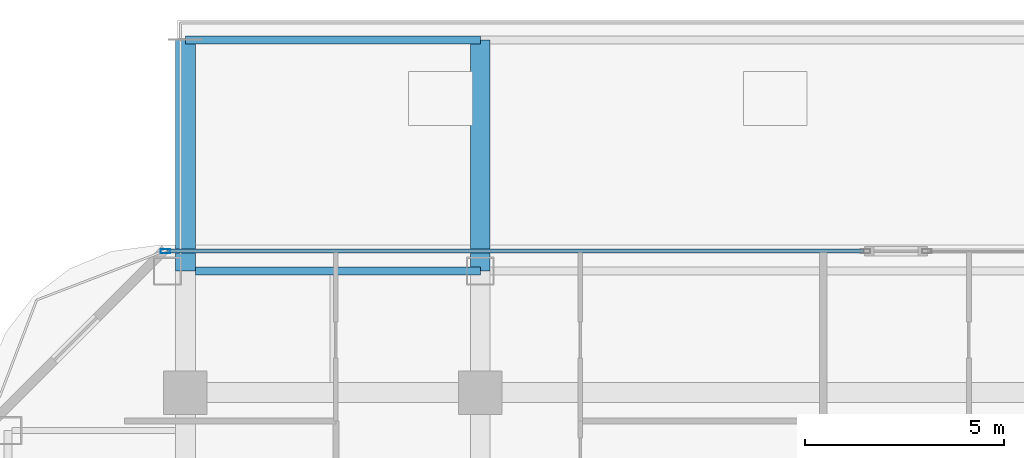
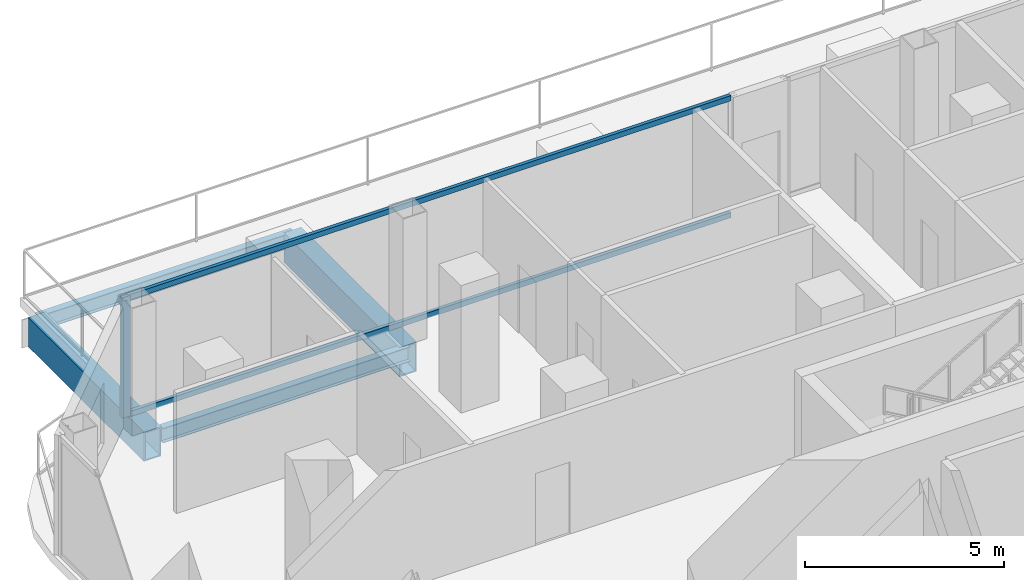
# One storey, part 14 of 29: 4 beams, 3 members, 1 element without a shape of its own.
"""IFC4 building model written with IfcOpenShell, lengths in metres."""

from ifc_helpers import new_model, si_unit, direction, frame, origin, origin_2d, place, context, subcontext, project, spatial, hollow_rectangle, i_section, extrude, material, layer, layer_set, material_profile, profile_set, type_object, element, aggregate, save


model = new_model("IFC4")

# Units and contexts
model_context = context("Model", 3, precision=1e-05, world=origin(), true_north=direction((0.0, 1.0)))
body_context = subcontext(model_context, "Body", "Model", "MODEL_VIEW")
ifc_project = project(units=[si_unit("LENGTHUNIT", "METRE"), si_unit("AREAUNIT", "SQUARE_METRE"), si_unit("VOLUMEUNIT", "CUBIC_METRE"), si_unit("PLANEANGLEUNIT", "RADIAN"), si_unit("MASSUNIT", "GRAM", prefix="KILO")], contexts=[model_context])

# Site, building, storey
site_placement = place(None, origin())
site = spatial("IfcSite", under=ifc_project, at=site_placement, CompositionType="ELEMENT")
building_placement = place(site_placement, origin())
building = spatial("IfcBuilding", under=site, at=building_placement, Name="Khorvyn Point Tower", CompositionType="ELEMENT")
storey_placement = place(building_placement, frame((0.0, 0.0, 136.800048828125)))
storey = spatial("IfcBuildingStorey", under=building, at=storey_placement, Name="L34", CompositionType="ELEMENT", Elevation=136.800048828125)

# Curtain wall, members
ifc_material_1 = material(Name="Anodised aluminium 6063-T6 and laminated Low-E glass", Category="aluminium")
ifc_layer = layer(ifc_material_1, 0.18994140625)
ifc_layer_set = layer_set([ifc_layer], Name="Stick-Built Acoustic Curtain Wall CW-SYS-03")
curtain_wall_type = type_object("IfcCurtainWallType", Name="Stick-Built Acoustic Curtain Wall CW-SYS-03", PredefinedType="NOTDEFINED", material=ifc_layer_set)
curtain_wall_placement = place(storey_placement, origin())
curtain_wall = element("IfcCurtainWall", 1, at=curtain_wall_placement, inside=storey, type_object=curtain_wall_type, Name="Curtain Wall", PredefinedType="NOTDEFINED")
ifc_material_2 = material(Name="Anodised aluminium 6063-T6", Category="aluminium")
ifc_material_profile_1 = material_profile(ifc_material_2, hollow_rectangle(XDim=0.10009765625, YDim=0.239990234375, WallThickness=0.0048828125, at=origin_2d()))
ifc_profile_set_1 = profile_set([ifc_material_profile_1], Name="Anodised aluminium 6063-T6 ALU-MUL-100x240")
member_type_1 = type_object("IfcMemberType", Name="Anodised Aluminium 6063-T6 Mullion ALU-MUL-100x240", PredefinedType="MULLION", material=ifc_profile_set_1)
member_1_placement = place(storey_placement, frame((-15.300048828125, 23.64990234375, 0.0), z_axis=(0.0, 0.0, 1.0), x_axis=(0.0, 1.0, 0.0)))
member_1 = element("IfcMember", 2, at=member_1_placement, type_object=member_type_1, Name="Transom", PredefinedType="MULLION", context=body_context, shape_type="SweptSolid", body=[
    extrude(hollow_rectangle(XDim=0.10009765625, YDim=0.239990234375, WallThickness=0.0048828125, at=origin_2d()), origin(), (0.0, 0.0, 1.0), 3.679931640625),
])
ifc_material_profile_2 = material_profile(ifc_material_2, hollow_rectangle(XDim=0.10009765625, YDim=0.159912109375, WallThickness=0.00439453125, at=origin_2d()))
ifc_profile_set_2 = profile_set([ifc_material_profile_2], Name="Anodised aluminium 6063-T6 ALU-TRN-100x160")
member_type_2 = type_object("IfcMemberType", Name="Anodised Aluminium 6063-T6 Transom ALU-TRN-100x160", PredefinedType="USERDEFINED", material=ifc_profile_set_2)
member_2_placement = place(storey_placement, frame((-15.25, 23.64990234375, 0.050048828125), z_axis=(1.0, 0.0, 0.0), x_axis=(0.0, 1.0, 0.0)))
member_2 = element("IfcMember", 3, at=member_2_placement, type_object=member_type_2, Name="Transom", ObjectType="TRANSOM", PredefinedType="USERDEFINED", context=body_context, shape_type="SweptSolid", body=[
    extrude(hollow_rectangle(XDim=0.10009765625, YDim=0.159912109375, WallThickness=0.00439453125, at=origin_2d()), origin(), (0.0, 0.0, 1.0), 17.4619140625),
])
member_3_placement = place(storey_placement, frame((-15.25, 23.64990234375, 3.6298828125), z_axis=(1.0, 0.0, 0.0), x_axis=(0.0, 1.0, 0.0)))
member_3 = element("IfcMember", 4, at=member_3_placement, type_object=member_type_2, Name="Transom", ObjectType="TRANSOM", PredefinedType="USERDEFINED", context=body_context, shape_type="SweptSolid", body=[
    extrude(hollow_rectangle(XDim=0.10009765625, YDim=0.159912109375, WallThickness=0.00439453125, at=origin_2d()), origin(), (0.0, 0.0, 1.0), 17.4619140625),
])
aggregate(curtain_wall, [member_1, member_2, member_3])

# Beams
ifc_material_3 = material(Name="Steel S355", Category="steel")
ifc_material_profile_3 = material_profile(ifc_material_3, i_section(OverallWidth=0.199951171875, OverallDepth=0.449951171875, WebThickness=0.009033203125, FlangeThickness=0.013916015625, at=origin_2d()))
ifc_profile_set_3 = profile_set([ifc_material_profile_3], Name="Steel S355 H450x200x9x14")
beam_type_1 = type_object("IfcBeamType", Name="Steel S355 Spandrel H450x200x9x14", PredefinedType="SPANDREL", material=ifc_profile_set_3)
beam_1_placement = place(storey_placement, frame((-14.550048828125, 23.14990234375, -0.505126953125), z_axis=(1.0, 0.0, 0.0), x_axis=(0.0, 1.0, 0.0)))
element("IfcBeam", 5, at=beam_1_placement, inside=storey, type_object=beam_type_1, Name="Beam", PredefinedType="SPANDREL", context=body_context, shape_type="SweptSolid", body=[
    extrude(i_section(OverallWidth=0.199951171875, OverallDepth=0.449951171875, WebThickness=0.009033203125, FlangeThickness=0.013916015625, at=origin_2d()), origin(), (0.0, 0.0, 1.0), 7.150146484375),
])
beam_2_placement = place(storey_placement, frame((-14.800048828125, 28.949951171875, -0.505126953125), z_axis=(1.0, 0.0, 0.0), x_axis=(0.0, 1.0, 0.0)))
element("IfcBeam", 6, at=beam_2_placement, inside=storey, type_object=beam_type_1, Name="Beam", PredefinedType="SPANDREL", context=body_context, shape_type="SweptSolid", body=[
    extrude(i_section(OverallWidth=0.199951171875, OverallDepth=0.449951171875, WebThickness=0.009033203125, FlangeThickness=0.013916015625, at=origin_2d()), origin(), (0.0, 0.0, 1.0), 7.400146484375),
])
ifc_material_4 = material(Name="Steel S450", Category="steel")
ifc_material_profile_4 = material_profile(ifc_material_4, hollow_rectangle(XDim=0.5, YDim=0.89990234375, WallThickness=0.0400390625, at=origin_2d()))
ifc_profile_set_4 = profile_set([ifc_material_profile_4], Name="Steel S450 BOX900x500x40")
beam_type_2 = type_object("IfcBeamType", Name="Steel S450 Beam BOX900x500x40", PredefinedType="BEAM", material=ifc_profile_set_4)
for number, where, z_axis, x_axis, name in (
    (7, (-14.800048828125, 23.14990234375, -0.72998046875), (0.0, 1.0, 0.0), (-1.0, 0.0, 0.0), "L34 Radial Transfer Girder"),
    (8, (-7.39990234375, 23.14990234375, -0.72998046875), (0.0, 1.0, 0.0), (-1.0, 0.0, 0.0), "Beam"),
):
    element("IfcBeam", number, at=place(storey_placement, frame(where, z_axis=z_axis, x_axis=x_axis)), inside=storey, type_object=beam_type_2, Name=name, PredefinedType="BEAM", context=body_context, shape_type="SweptSolid", body=[
        extrude(hollow_rectangle(XDim=0.5, YDim=0.89990234375, WallThickness=0.0400390625, at=origin_2d()), origin(), (0.0, 0.0, 1.0), 5.800048828125),
    ])

save(model, "model.ifc")
